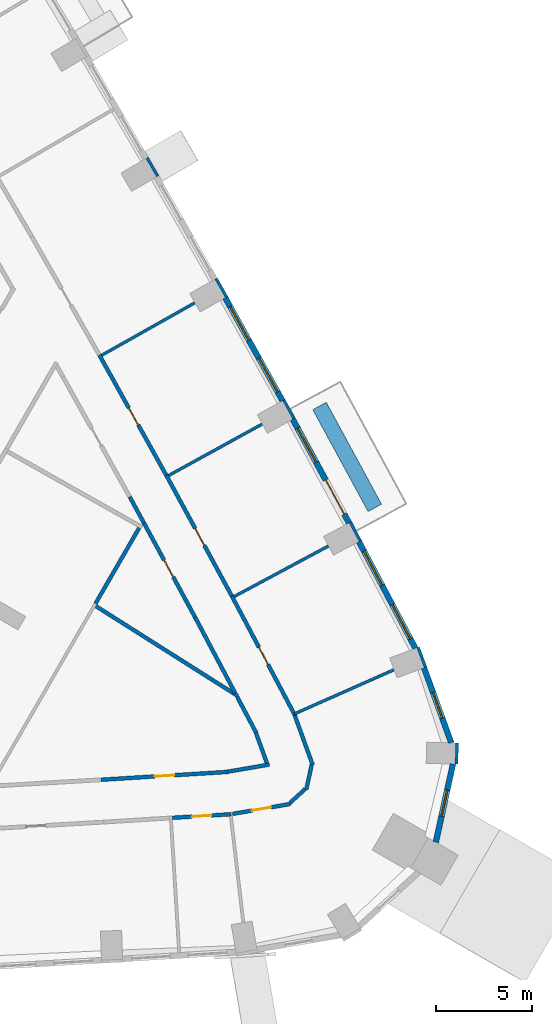
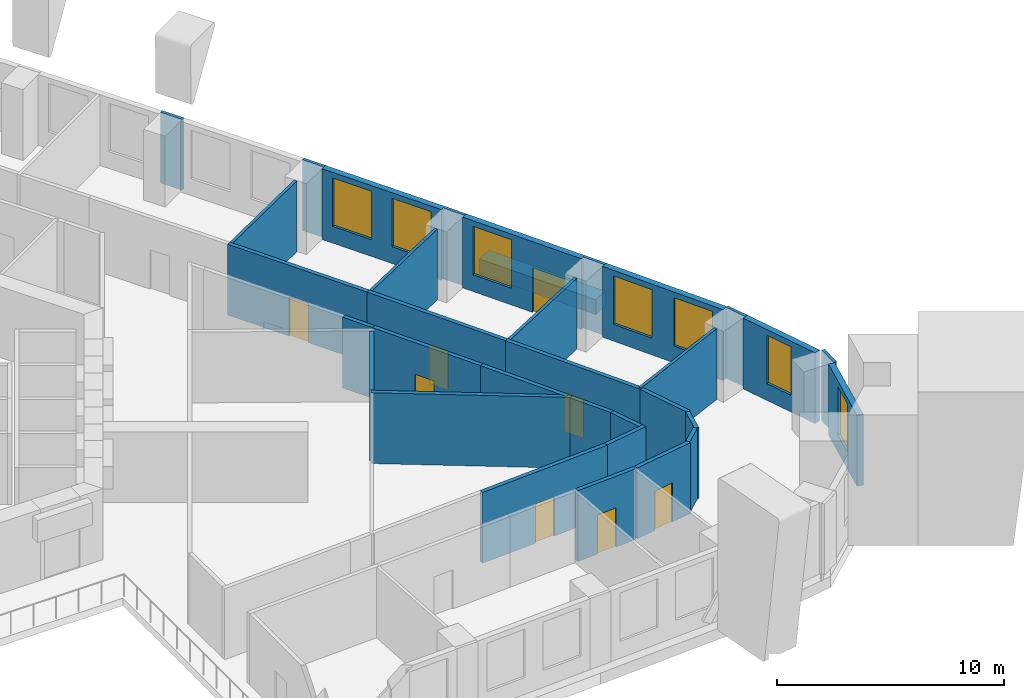
# One storey, part 11 of 15: 33 walls, 8 doors, 7 windows, 15 openings.
"""IFC4 building model written with IfcOpenShell, lengths in metres."""

from ifc_helpers import new_model, si_unit, direction, frame, frame_2d, origin, place, context, subcontext, project, spatial, rectangle, extrude, material, layer, layer_set, type_object, element, fill, save


model = new_model("IFC4")

# Units and contexts
model_context = context("Model", 3, precision=1e-05, world=origin(), true_north=direction((0.0, 1.0)))
body_context = subcontext(model_context, "Body", "Model", "MODEL_VIEW")
ifc_project = project(units=[si_unit("LENGTHUNIT", "METRE"), si_unit("AREAUNIT", "SQUARE_METRE"), si_unit("VOLUMEUNIT", "CUBIC_METRE"), si_unit("PLANEANGLEUNIT", "RADIAN"), si_unit("MASSUNIT", "GRAM", prefix="KILO")], contexts=[model_context])

# Site, building, storey
site_placement = place(None, origin())
site = spatial("IfcSite", under=ifc_project, at=site_placement, CompositionType="ELEMENT")
building_placement = place(site_placement, origin())
building = spatial("IfcBuilding", under=site, at=building_placement, Name="Entoto Arch Interchange Tower", CompositionType="ELEMENT")
storey_placement = place(building_placement, frame((0.0, 0.0, 124.39990234375)))
storey = spatial("IfcBuildingStorey", under=building, at=storey_placement, Name="L27", CompositionType="ELEMENT", Elevation=124.39990234375)

# Walls
ifc_material_1 = material(Name="Gypsum board partition on steel studs", Category="steel")
ifc_layer_1 = layer(ifc_material_1, 0.14990234375)
ifc_layer_set_1 = layer_set([ifc_layer_1], Name="Gypsum board partition on steel studs")
wall_type_1 = type_object("IfcWallType", Name="PARTITION 150", PredefinedType="PARTITIONING", material=ifc_layer_set_1)
wall_1_placement = place(storey_placement, frame((31.23291015625, -14.58203125, 0.0), z_axis=(0.0, 0.0, 1.0), x_axis=(0.914317360249, 0.404998474994, 0.0)))
element("IfcWall", 1, at=wall_1_placement, inside=storey, type_object=wall_type_1, Name="wall:L27:p136", PredefinedType="PARTITIONING", context=body_context, shape_type="SweptSolid", body=[
    extrude(rectangle(XDim=5.644775390625, YDim=0.14990234375, at=frame_2d((2.822265625, 0.0))), origin(), (0.0, 0.0, 1.0), 3.800048828125),
])
wall_2_placement = place(storey_placement, frame((28.123046875, -8.488037109375, 0.0), z_axis=(0.0, 0.0, 1.0), x_axis=(0.881406449288, 0.472358625573, 0.0)))
element("IfcWall", 2, at=wall_2_placement, inside=storey, type_object=wall_type_1, Name="wall:L27:p137", PredefinedType="PARTITIONING", context=body_context, shape_type="SweptSolid", body=[
    extrude(rectangle(XDim=5.52978515625, YDim=0.14990234375, at=frame_2d((2.764892578125, 0.0))), origin(), (0.0, 0.0, 1.0), 3.800048828125),
])
wall_3_placement = place(storey_placement, frame((24.718017578125, -2.214111328125, 0.0), z_axis=(0.0, 0.0, 1.0), x_axis=(0.876382720351, 0.481615331432, 0.0)))
element("IfcWall", 3, at=wall_3_placement, inside=storey, type_object=wall_type_1, Name="wall:L27:p138", PredefinedType="PARTITIONING", context=body_context, shape_type="SweptSolid", body=[
    extrude(rectangle(XDim=5.529541015625, YDim=0.14990234375, at=frame_2d((2.7646484375, 0.0))), origin(), (0.0, 0.0, 1.0), 3.800048828125),
])
wall_4_placement = place(storey_placement, frame((21.2470703125, 4.02392578125, 0.0), z_axis=(0.0, 0.0, 1.0), x_axis=(0.871261721438, 0.490818716795, 0.0)))
element("IfcWall", 4, at=wall_4_placement, inside=storey, type_object=wall_type_1, Name="wall:L27:p139", PredefinedType="PARTITIONING", context=body_context, shape_type="SweptSolid", body=[
    extrude(rectangle(XDim=5.52978515625, YDim=0.14990234375, at=frame_2d((2.764892578125, 0.0))), origin(), (0.0, 0.0, 1.0), 3.800048828125),
])
ifc_layer_2 = layer(ifc_material_1, 0.199951171875)
ifc_layer_set_2 = layer_set([ifc_layer_2], Name="Gypsum board partition on steel studs")
wall_type_2 = type_object("IfcWallType", Name="PARTITION 200", PredefinedType="PARTITIONING", material=ifc_layer_set_2)
wall_5_placement = place(storey_placement, frame((23.43701171875, -4.676025390625, 0.0), z_axis=(0.0, 0.0, 1.0), x_axis=(-0.47686467088, 0.878976726465, 0.0)))
element("IfcWall", 5, at=wall_5_placement, inside=storey, type_object=wall_type_2, Name="wall:L27:p022", PredefinedType="PARTITIONING", context=body_context, shape_type="SweptSolid", body=[
    extrude(rectangle(XDim=1.54150390625, YDim=0.199951171875, at=frame_2d((0.770751953125, 0.0))), origin(), (0.0, 0.0, 1.0), 3.800048828125),
])

# Wall, opening, door
wall_6_placement = place(storey_placement, frame((21.218017578125, -17.9951171875, 0.0), z_axis=(0.0, 0.0, 1.0), x_axis=(0.998092528214, 0.061735768594, 0.0)))
wall_6 = element("IfcWall", 6, at=wall_6_placement, inside=storey, type_object=wall_type_2, Name="wall:L27:p026", PredefinedType="PARTITIONING", context=body_context, shape_type="SweptSolid", body=[
    extrude(rectangle(XDim=6.576416015625, YDim=0.199951171875, at=frame_2d((3.2880859375, 0.0))), origin(), (0.0, 0.0, 1.0), 3.800048828125),
])
opening_1_placement = place(wall_6_placement, frame((2.7880859375, 0.0, 0.0)))
opening_1 = element("IfcOpeningElement", 7, at=opening_1_placement, cuts=wall_6, Name="Opening L27-D24", PredefinedType="OPENING", context=body_context, shape_type="SweptSolid", body=[
    extrude(rectangle(XDim=1.0, YDim=2.10009765625, at=frame_2d((0.5, 1.050048828125))), frame((0.0, 0.10986328125, 0.0), z_axis=(0.0, -1.0, 0.0), x_axis=(1.0, 0.0, 0.0)), (0.0, 0.0, 1.0), 0.219970703125),
])
ifc_material_2 = material(Name="Timber door leaf in Steel S235 frame", Category="steel")
door_type_1 = type_object("IfcDoorType", Name="DOOR DS-10 1000x2100", OperationType="SINGLE_SWING_LEFT", PredefinedType="DOOR", material=ifc_material_2)
door_1_placement = place(opening_1_placement, origin())
door_1 = element("IfcDoor", 8, at=door_1_placement, inside=storey, type_object=door_type_1, Name="door:L27:24", OperationType="SINGLE_SWING_LEFT", OverallHeight=2.10009765625, OverallWidth=1.0, PredefinedType="DOOR", context=body_context, shape_type="SweptSolid", body=[
    extrude(rectangle(XDim=1.0, YDim=2.10009765625, at=frame_2d((0.5, 1.050048828125))), frame((0.0, 0.02490234375, 0.0), z_axis=(0.0, -1.0, 0.0), x_axis=(1.0, 0.0, 0.0)), (0.0, 0.0, 1.0), 0.050048828125),
])
fill(opening_1, door_1)

# Walls
wall_7_placement = place(storey_placement, frame((27.780029296875, -17.577880859375, 0.0), z_axis=(0.0, 0.0, 1.0), x_axis=(0.985534991456, 0.169472064409, 0.0)))
element("IfcWall", 9, at=wall_7_placement, inside=storey, type_object=wall_type_2, Name="wall:L27:p027", PredefinedType="PARTITIONING", context=body_context, shape_type="SweptSolid", body=[
    extrude(rectangle(XDim=2.19970703125, YDim=0.199951171875, at=frame_2d((1.099853515625, 0.0))), origin(), (0.0, 0.0, 1.0), 3.800048828125),
])
wall_8_placement = place(storey_placement, frame((29.81591796875, -17.1279296875, 0.0), z_axis=(0.0, 0.0, 1.0), x_axis=(-0.340726116699, 0.940162599447, 0.0)))
element("IfcWall", 10, at=wall_8_placement, inside=storey, type_object=wall_type_2, Name="wall:L27:p028", PredefinedType="PARTITIONING", context=body_context, shape_type="SweptSolid", body=[
    extrude(rectangle(XDim=1.657958984375, YDim=0.199951171875, at=frame_2d((0.8291015625, 0.0))), origin(), (0.0, 0.0, 1.0), 3.800048828125),
])
wall_9_placement = place(storey_placement, frame((29.263916015625, -15.56396484375, 0.0), z_axis=(0.0, 0.0, 1.0), x_axis=(-0.46760771465, 0.883936097917, 0.0)))
element("IfcWall", 11, at=wall_9_placement, inside=storey, type_object=wall_type_2, Name="wall:L27:p029", PredefinedType="PARTITIONING", context=body_context, shape_type="SweptSolid", body=[
    extrude(rectangle(XDim=2.123291015625, YDim=0.199951171875, at=frame_2d((1.0615234375, 0.0))), origin(), (0.0, 0.0, 1.0), 3.800048828125),
])
wall_10_placement = place(storey_placement, frame((28.177001953125, -13.510009765625, 0.0), z_axis=(0.0, 0.0, 1.0), x_axis=(-0.467580354248, 0.883950571198, 0.0)))
element("IfcWall", 12, at=wall_10_placement, inside=storey, type_object=wall_type_2, Name="wall:L27:p030", PredefinedType="PARTITIONING", context=body_context, shape_type="SweptSolid", body=[
    extrude(rectangle(XDim=4.452880859375, YDim=0.199951171875, at=frame_2d((2.2265625, 0.0))), origin(), (0.0, 0.0, 1.0), 3.800048828125),
])

# Wall, opening, door
wall_11_placement = place(storey_placement, frame((26.094970703125, -9.573974609375, 0.0), z_axis=(0.0, 0.0, 1.0), x_axis=(-0.476963271937, 0.878923226012, 0.0)))
wall_11 = element("IfcWall", 13, at=wall_11_placement, inside=storey, type_object=wall_type_2, Name="wall:L27:p031", PredefinedType="PARTITIONING", context=body_context, shape_type="SweptSolid", body=[
    extrude(rectangle(XDim=5.57275390625, YDim=0.199951171875, at=frame_2d((2.786376953125, 0.0))), origin(), (0.0, 0.0, 1.0), 3.800048828125),
])
opening_2_placement = place(wall_11_placement, frame((2.385986328125, 0.0, 0.0)))
opening_2 = element("IfcOpeningElement", 14, at=opening_2_placement, cuts=wall_11, Name="Opening L27-D25", PredefinedType="OPENING", context=body_context, shape_type="SweptSolid", body=[
    extrude(rectangle(XDim=1.0, YDim=2.10009765625, at=frame_2d((0.5, 1.050048828125))), frame((0.0, 0.10986328125, 0.0), z_axis=(0.0, -1.0, 0.0), x_axis=(1.0, 0.0, 0.0)), (0.0, 0.0, 1.0), 0.219970703125),
])
door_2_placement = place(opening_2_placement, origin())
door_2 = element("IfcDoor", 15, at=door_2_placement, inside=storey, type_object=door_type_1, Name="door:L27:25", OperationType="SINGLE_SWING_LEFT", OverallHeight=2.10009765625, OverallWidth=1.0, PredefinedType="DOOR", context=body_context, shape_type="SweptSolid", body=[
    extrude(rectangle(XDim=1.0, YDim=2.10009765625, at=frame_2d((0.5, 1.050048828125))), frame((0.0, 0.02490234375, 0.0), z_axis=(0.0, -1.0, 0.0), x_axis=(1.0, 0.0, 0.0)), (0.0, 0.0, 1.0), 0.050048828125),
])
fill(opening_2, door_2)

wall_12_placement = place(storey_placement, frame((27.9619140625, -19.781982421875, 0.0), z_axis=(0.0, 0.0, 1.0), x_axis=(-0.998088756763, -0.061796712082, 0.0)))
wall_12 = element("IfcWall", 16, at=wall_12_placement, inside=storey, type_object=wall_type_2, Name="wall:L27:p046", PredefinedType="PARTITIONING", context=body_context, shape_type="SweptSolid", body=[
    extrude(rectangle(XDim=3.057861328125, YDim=0.199951171875, at=frame_2d((1.52880859375, 0.0))), origin(), (0.0, 0.0, 1.0), 3.800048828125),
])
opening_3_placement = place(wall_12_placement, frame((1.029052734375, 0.0, 0.0)))
opening_3 = element("IfcOpeningElement", 17, at=opening_3_placement, cuts=wall_12, Name="Opening L27-D03", PredefinedType="OPENING", context=body_context, shape_type="SweptSolid", body=[
    extrude(rectangle(XDim=1.0, YDim=2.10009765625, at=frame_2d((0.5, 1.050048828125))), frame((0.0, 0.10986328125, 0.0), z_axis=(0.0, -1.0, 0.0), x_axis=(1.0, 0.0, 0.0)), (0.0, 0.0, 1.0), 0.219970703125),
])
door_3_placement = place(opening_3_placement, origin())
door_3 = element("IfcDoor", 18, at=door_3_placement, inside=storey, type_object=door_type_1, Name="door:L27:03", OperationType="SINGLE_SWING_RIGHT", OverallHeight=2.10009765625, OverallWidth=1.0, PredefinedType="DOOR", context=body_context, shape_type="SweptSolid", body=[
    extrude(rectangle(XDim=1.0, YDim=2.10009765625, at=frame_2d((0.5, 1.050048828125))), frame((0.0, 0.02490234375, 0.0), z_axis=(0.0, -1.0, 0.0), x_axis=(1.0, 0.0, 0.0)), (0.0, 0.0, 1.0), 0.050048828125),
])
fill(opening_3, door_3)

# Walls
wall_13_placement = place(storey_placement, frame((31.26806640625, -14.676025390625, 0.0), z_axis=(0.0, 0.0, 1.0), x_axis=(0.340269739222, -0.940327870782, 0.0)))
element("IfcWall", 19, at=wall_13_placement, inside=storey, type_object=wall_type_2, Name="wall:L27:p047", PredefinedType="PARTITIONING", context=body_context, shape_type="SweptSolid", body=[
    extrude(rectangle(XDim=2.715087890625, YDim=0.199951171875, at=frame_2d((1.357421875, 0.0))), origin(), (0.0, 0.0, 1.0), 3.800048828125),
])
wall_14_placement = place(storey_placement, frame((32.136962890625, -17.23193359375, 0.0), z_axis=(0.0, 0.0, 1.0), x_axis=(-0.214289506547, -0.976770191695, 0.0)))
element("IfcWall", 20, at=wall_14_placement, inside=storey, type_object=wall_type_2, Name="wall:L27:p048", PredefinedType="PARTITIONING", context=body_context, shape_type="SweptSolid", body=[
    extrude(rectangle(XDim=1.30224609375, YDim=0.199951171875, at=frame_2d((0.651123046875, 0.0))), origin(), (0.0, 0.0, 1.0), 3.800048828125),
])
wall_15_placement = place(storey_placement, frame((31.805908203125, -18.472900390625, 0.0), z_axis=(0.0, 0.0, 1.0), x_axis=(-0.739141286173, -0.673550413165, 0.0)))
element("IfcWall", 21, at=wall_15_placement, inside=storey, type_object=wall_type_2, Name="wall:L27:p049", PredefinedType="PARTITIONING", context=body_context, shape_type="SweptSolid", body=[
    extrude(rectangle(XDim=1.079345703125, YDim=0.199951171875, at=frame_2d((0.53955078125, 0.0))), origin(), (0.0, 0.0, 1.0), 3.800048828125),
])

# Wall, opening, door
wall_16_placement = place(storey_placement, frame((31.032958984375, -19.2509765625, 0.0), z_axis=(0.0, 0.0, 1.0), x_axis=(-0.985494394638, -0.169707979005, 0.0)))
wall_16 = element("IfcWall", 22, at=wall_16_placement, inside=storey, type_object=wall_type_2, Name="wall:L27:p050", PredefinedType="PARTITIONING", context=body_context, shape_type="SweptSolid", body=[
    extrude(rectangle(XDim=3.041259765625, YDim=0.199951171875, at=frame_2d((1.5205078125, 0.0))), origin(), (0.0, 0.0, 1.0), 3.800048828125),
])
opening_4_placement = place(wall_16_placement, frame((1.02099609375, 0.0, 0.0)))
opening_4 = element("IfcOpeningElement", 23, at=opening_4_placement, cuts=wall_16, Name="Opening L27-D04", PredefinedType="OPENING", context=body_context, shape_type="SweptSolid", body=[
    extrude(rectangle(XDim=1.0, YDim=2.10009765625, at=frame_2d((0.5, 1.050048828125))), frame((0.0, 0.10986328125, 0.0), z_axis=(0.0, -1.0, 0.0), x_axis=(1.0, 0.0, 0.0)), (0.0, 0.0, 1.0), 0.219970703125),
])
door_4_placement = place(opening_4_placement, origin())
door_4 = element("IfcDoor", 24, at=door_4_placement, inside=storey, type_object=door_type_1, Name="door:L27:04", OperationType="SINGLE_SWING_LEFT", OverallHeight=2.10009765625, OverallWidth=1.0, PredefinedType="DOOR", context=body_context, shape_type="SweptSolid", body=[
    extrude(rectangle(XDim=1.0, YDim=2.10009765625, at=frame_2d((0.5, 1.050048828125))), frame((0.0, 0.02490234375, 0.0), z_axis=(0.0, -1.0, 0.0), x_axis=(1.0, 0.0, 0.0)), (0.0, 0.0, 1.0), 0.050048828125),
])
fill(opening_4, door_4)

wall_17_placement = place(storey_placement, frame((27.9990234375, -8.468994140625, 0.0), z_axis=(0.0, 0.0, 1.0), x_axis=(0.467683043694, -0.883896244274, 0.0)))
wall_17 = element("IfcWall", 25, at=wall_17_placement, inside=storey, type_object=wall_type_2, Name="wall:L27:p051", PredefinedType="PARTITIONING", context=body_context, shape_type="SweptSolid", body=[
    extrude(rectangle(XDim=7.015380859375, YDim=0.199951171875, at=frame_2d((3.5078125, 0.0))), origin(), (0.0, 0.0, 1.0), 3.800048828125),
])
opening_5_placement = place(wall_17_placement, frame((3.008056640625, 0.0, 0.0)))
opening_5 = element("IfcOpeningElement", 26, at=opening_5_placement, cuts=wall_17, Name="Opening L27-D05", PredefinedType="OPENING", context=body_context, shape_type="SweptSolid", body=[
    extrude(rectangle(XDim=1.0, YDim=2.10009765625, at=frame_2d((0.5, 1.050048828125))), frame((0.0, 0.10986328125, 0.0), z_axis=(0.0, -1.0, 0.0), x_axis=(1.0, 0.0, 0.0)), (0.0, 0.0, 1.0), 0.219970703125),
])
door_5_placement = place(opening_5_placement, origin())
door_5 = element("IfcDoor", 27, at=door_5_placement, inside=storey, type_object=door_type_1, Name="door:L27:05", OperationType="SINGLE_SWING_LEFT", OverallHeight=2.10009765625, OverallWidth=1.0, PredefinedType="DOOR", context=body_context, shape_type="SweptSolid", body=[
    extrude(rectangle(XDim=1.0, YDim=2.10009765625, at=frame_2d((0.5, 1.050048828125))), frame((0.0, 0.02490234375, 0.0), z_axis=(0.0, -1.0, 0.0), x_axis=(1.0, 0.0, 0.0)), (0.0, 0.0, 1.0), 0.050048828125),
])
fill(opening_5, door_5)

wall_18_placement = place(storey_placement, frame((24.594970703125, -2.196044921875, 0.0), z_axis=(0.0, 0.0, 1.0), x_axis=(0.47695522124, -0.878927594818, 0.0)))
wall_18 = element("IfcWall", 28, at=wall_18_placement, inside=storey, type_object=wall_type_2, Name="wall:L27:p052", PredefinedType="PARTITIONING", context=body_context, shape_type="SweptSolid", body=[
    extrude(rectangle(XDim=7.136962890625, YDim=0.199951171875, at=frame_2d((3.568359375, 0.0))), origin(), (0.0, 0.0, 1.0), 3.800048828125),
])
opening_6_placement = place(wall_18_placement, frame((3.14404296875, 0.0, 0.0)))
opening_6 = element("IfcOpeningElement", 29, at=opening_6_placement, cuts=wall_18, Name="Opening L27-D06", PredefinedType="OPENING", context=body_context, shape_type="SweptSolid", body=[
    extrude(rectangle(XDim=1.0, YDim=2.10009765625, at=frame_2d((0.5, 1.050048828125))), frame((0.0, 0.10986328125, 0.0), z_axis=(0.0, -1.0, 0.0), x_axis=(1.0, 0.0, 0.0)), (0.0, 0.0, 1.0), 0.219970703125),
])
door_6_placement = place(opening_6_placement, origin())
door_6 = element("IfcDoor", 30, at=door_6_placement, inside=storey, type_object=door_type_1, Name="door:L27:06", OperationType="SINGLE_SWING_LEFT", OverallHeight=2.10009765625, OverallWidth=1.0, PredefinedType="DOOR", context=body_context, shape_type="SweptSolid", body=[
    extrude(rectangle(XDim=1.0, YDim=2.10009765625, at=frame_2d((0.5, 1.050048828125))), frame((0.0, 0.02490234375, 0.0), z_axis=(0.0, -1.0, 0.0), x_axis=(1.0, 0.0, 0.0)), (0.0, 0.0, 1.0), 0.050048828125),
])
fill(opening_6, door_6)

wall_19_placement = place(storey_placement, frame((21.1240234375, 4.0400390625, 0.0), z_axis=(0.0, 0.0, 1.0), x_axis=(0.486229558972, -0.873831114107, 0.0)))
wall_19 = element("IfcWall", 31, at=wall_19_placement, inside=storey, type_object=wall_type_2, Name="wall:L27:p053", PredefinedType="PARTITIONING", context=body_context, shape_type="SweptSolid", body=[
    extrude(rectangle(XDim=7.136474609375, YDim=0.199951171875, at=frame_2d((3.568359375, 0.0))), origin(), (0.0, 0.0, 1.0), 3.800048828125),
])
opening_7_placement = place(wall_19_placement, frame((3.14306640625, 0.0, 0.0)))
opening_7 = element("IfcOpeningElement", 32, at=opening_7_placement, cuts=wall_19, Name="Opening L27-D07", PredefinedType="OPENING", context=body_context, shape_type="SweptSolid", body=[
    extrude(rectangle(XDim=1.0, YDim=2.10009765625, at=frame_2d((0.5, 1.050048828125))), frame((0.0, 0.10986328125, 0.0), z_axis=(0.0, -1.0, 0.0), x_axis=(1.0, 0.0, 0.0)), (0.0, 0.0, 1.0), 0.219970703125),
])
door_7_placement = place(opening_7_placement, origin())
door_7 = element("IfcDoor", 33, at=door_7_placement, inside=storey, type_object=door_type_1, Name="door:L27:07", OperationType="SINGLE_SWING_RIGHT", OverallHeight=2.10009765625, OverallWidth=1.0, PredefinedType="DOOR", context=body_context, shape_type="SweptSolid", body=[
    extrude(rectangle(XDim=1.0, YDim=2.10009765625, at=frame_2d((0.5, 1.050048828125))), frame((0.0, 0.02490234375, 0.0), z_axis=(0.0, -1.0, 0.0), x_axis=(1.0, 0.0, 0.0)), (0.0, 0.0, 1.0), 0.050048828125),
])
fill(opening_7, door_7)

# Walls
wall_20_placement = place(storey_placement, frame((23.19091796875, -4.931884765625, 0.0), z_axis=(0.0, 0.0, 1.0), x_axis=(-0.500025458316, -0.86601070492, 0.0)))
element("IfcWall", 34, at=wall_20_placement, inside=storey, type_object=wall_type_2, Name="wall:L27:p131", PredefinedType="PARTITIONING", context=body_context, shape_type="SweptSolid", body=[
    extrude(rectangle(XDim=4.533447265625, YDim=0.199951171875, at=frame_2d((2.2666015625, 0.0))), origin(), (0.0, 0.0, 1.0), 3.800048828125),
])
wall_21_placement = place(storey_placement, frame((20.85302734375, -8.930908203125, 0.0), z_axis=(0.0, 0.0, 1.0), x_axis=(0.844869091455, -0.534973100542, 0.0)))
element("IfcWall", 35, at=wall_21_placement, inside=storey, type_object=wall_type_2, Name="wall:L27:p132", PredefinedType="PARTITIONING", context=body_context, shape_type="SweptSolid", body=[
    extrude(rectangle(XDim=8.8251953125, YDim=0.199951171875, at=frame_2d((4.41259765625, 0.0))), origin(), (0.0, 0.0, 1.0), 3.800048828125),
])
ifc_material_3 = material(Name="Board-marked precast concrete C50/60", Category="concrete")
ifc_layer_3 = layer(ifc_material_3, 0.800048828125)
ifc_layer_set_3 = layer_set([ifc_layer_3], Name="Board-marked precast concrete C50/60")
wall_type_3 = type_object("IfcWallType", Name="PLANTER RC 800 Afrocarpus falcatus", PredefinedType="STANDARD", material=ifc_layer_set_3)
wall_22_placement = place(storey_placement, frame((35.4130859375, -3.89208984375, 0.0), z_axis=(0.0, 0.0, 1.0), x_axis=(-0.476905516251, 0.878954565702, 0.0)))
element("IfcWall", 36, at=wall_22_placement, inside=storey, type_object=wall_type_3, Name="Planter NE-02 L27", PredefinedType="STANDARD", context=body_context, shape_type="SweptSolid", body=[
    extrude(rectangle(XDim=6.01416015625, YDim=0.800048828125, at=frame_2d((3.007080078125, 0.0))), origin(), (0.0, 0.0, 1.0), 0.800048828125),
])

# Wall, opening, window
ifc_material_4 = material(Name="Welded tuff (ignimbrite) cladding, warm buff", Category="masonry")
ifc_layer_4 = layer(ifc_material_4, 0.300048828125)
ifc_layer_set_4 = layer_set([ifc_layer_4], Name="Welded tuff (ignimbrite) cladding, warm buff")
wall_type_4 = type_object("IfcWallType", Name="STONE INFILL WALL 300", PredefinedType="STANDARD", material=ifc_layer_set_4)
wall_23_placement = place(storey_placement, frame((38.5791015625, -21.236083984375, 0.0), z_axis=(0.0, 0.0, 1.0), x_axis=(0.2139737857, 0.976839402887, 0.0)))
wall_23 = element("IfcWall", 37, at=wall_23_placement, inside=storey, type_object=wall_type_4, Name="Facade wall SE-03 L27", PredefinedType="STANDARD", context=body_context, shape_type="SweptSolid", body=[
    extrude(rectangle(XDim=4.154296875, YDim=0.300048828125, at=frame_2d((2.0771484375, 0.0))), origin(), (0.0, 0.0, 1.0), 3.800048828125),
])
opening_8_placement = place(wall_23_placement, frame((1.376953125, 0.0, 0.89990234375)))
opening_8 = element("IfcOpeningElement", 38, at=opening_8_placement, cuts=wall_23, Name="Opening WO-B", PredefinedType="OPENING", context=body_context, shape_type="SweptSolid", body=[
    extrude(rectangle(XDim=1.39990234375, YDim=2.60009765625, at=frame_2d((0.699951171875, 1.300048828125))), frame((0.0, 0.16015625, 0.0), z_axis=(0.0, -1.0, 0.0), x_axis=(1.0, 0.0, 0.0)), (0.0, 0.0, 1.0), 0.320068359375),
])
ifc_material_5 = material(Name="Clear glass, low-e double glazed", Category="glass")
window_type_1 = type_object("IfcWindowType", Name="WINDOW WO-B 1400x2600", PartitioningType="DOUBLE_PANEL_VERTICAL", PredefinedType="WINDOW", material=ifc_material_5)
window_1_placement = place(opening_8_placement, origin())
window_1 = element("IfcWindow", 39, at=window_1_placement, inside=storey, type_object=window_type_1, Name="Window WO-B SE-03 L27", OverallHeight=2.60009765625, OverallWidth=1.39990234375, PartitioningType="SINGLE_PANEL", PredefinedType="WINDOW", context=body_context, shape_type="SweptSolid", body=[
    extrude(rectangle(XDim=1.39990234375, YDim=2.60009765625, at=frame_2d((0.699951171875, 1.300048828125))), frame((0.0, 0.030029296875, 0.0), z_axis=(0.0, -1.0, 0.0), x_axis=(1.0, 0.0, 0.0)), (0.0, 0.0, 1.0), 0.06005859375),
])
fill(opening_8, window_1)

wall_24_placement = place(storey_placement, frame((39.37890625, -16.076904296875, 0.0), z_axis=(0.0, 0.0, 1.0), x_axis=(-0.340477955209, 0.940252499075, 0.0)))
wall_24 = element("IfcWall", 40, at=wall_24_placement, inside=storey, type_object=wall_type_4, Name="Facade wall SE-04 L27", PredefinedType="STANDARD", context=body_context, shape_type="SweptSolid", body=[
    extrude(rectangle(XDim=4.13818359375, YDim=0.300048828125, at=frame_2d((2.069091796875, 0.0))), origin(), (0.0, 0.0, 1.0), 3.800048828125),
])
opening_9_placement = place(wall_24_placement, frame((1.368896484375, 0.0, 0.89990234375)))
opening_9 = element("IfcOpeningElement", 41, at=opening_9_placement, cuts=wall_24, Name="Opening WO-B", PredefinedType="OPENING", context=body_context, shape_type="SweptSolid", body=[
    extrude(rectangle(XDim=1.39990234375, YDim=2.60009765625, at=frame_2d((0.699951171875, 1.300048828125))), frame((0.0, 0.16015625, 0.0), z_axis=(0.0, -1.0, 0.0), x_axis=(1.0, 0.0, 0.0)), (0.0, 0.0, 1.0), 0.320068359375),
])
window_2_placement = place(opening_9_placement, origin())
window_2 = element("IfcWindow", 42, at=window_2_placement, inside=storey, type_object=window_type_1, Name="Window WO-B SE-04 L27", OverallHeight=2.60009765625, OverallWidth=1.39990234375, PartitioningType="SINGLE_PANEL", PredefinedType="WINDOW", context=body_context, shape_type="SweptSolid", body=[
    extrude(rectangle(XDim=1.39990234375, YDim=2.60009765625, at=frame_2d((0.699951171875, 1.300048828125))), frame((0.0, 0.030029296875, 0.0), z_axis=(0.0, -1.0, 0.0), x_axis=(1.0, 0.0, 0.0)), (0.0, 0.0, 1.0), 0.06005859375),
])
fill(opening_9, window_2)

# Wall, openings, windows
wall_25_placement = place(storey_placement, frame((37.52294921875, -11.180908203125, 0.0), z_axis=(0.0, 0.0, 1.0), x_axis=(-0.467654949391, 0.883911108828, 0.0)))
wall_25 = element("IfcWall", 43, at=wall_25_placement, inside=storey, type_object=wall_type_4, Name="Facade wall NE-01 L27", PredefinedType="STANDARD", context=body_context, shape_type="SweptSolid", body=[
    extrude(rectangle(XDim=6.26513671875, YDim=0.300048828125, at=frame_2d((3.132568359375, 0.0))), origin(), (0.0, 0.0, 1.0), 3.800048828125),
])
opening_10_placement = place(wall_25_placement, frame((0.56591796875, 0.0, 0.89990234375)))
opening_10 = element("IfcOpeningElement", 44, at=opening_10_placement, cuts=wall_25, Name="Opening WO-C", PredefinedType="OPENING", context=body_context, shape_type="SweptSolid", body=[
    extrude(rectangle(XDim=2.0, YDim=2.60009765625, at=frame_2d((1.0, 1.300048828125))), frame((0.0, 0.16015625, 0.0), z_axis=(0.0, -1.0, 0.0), x_axis=(1.0, 0.0, 0.0)), (0.0, 0.0, 1.0), 0.320068359375),
])
opening_11_placement = place(wall_25_placement, frame((3.698974609375, 0.0, 0.89990234375)))
opening_11 = element("IfcOpeningElement", 45, at=opening_11_placement, cuts=wall_25, Name="Opening WO-C", PredefinedType="OPENING", context=body_context, shape_type="SweptSolid", body=[
    extrude(rectangle(XDim=2.0, YDim=2.60009765625, at=frame_2d((1.0, 1.300048828125))), frame((0.0, 0.16015625, 0.0), z_axis=(0.0, -1.0, 0.0), x_axis=(1.0, 0.0, 0.0)), (0.0, 0.0, 1.0), 0.320068359375),
])
window_type_2 = type_object("IfcWindowType", Name="WINDOW WO-C 2000x2600", PartitioningType="DOUBLE_PANEL_VERTICAL", PredefinedType="WINDOW", material=ifc_material_5)
window_3_placement = place(opening_10_placement, origin())
window_3 = element("IfcWindow", 46, at=window_3_placement, inside=storey, type_object=window_type_2, Name="Window WO-C NE-01 L27", OverallHeight=2.60009765625, OverallWidth=2.0, PartitioningType="SINGLE_PANEL", PredefinedType="WINDOW", context=body_context, shape_type="SweptSolid", body=[
    extrude(rectangle(XDim=2.0, YDim=2.60009765625, at=frame_2d((1.0, 1.300048828125))), frame((0.0, 0.030029296875, 0.0), z_axis=(0.0, -1.0, 0.0), x_axis=(1.0, 0.0, 0.0)), (0.0, 0.0, 1.0), 0.06005859375),
])
fill(opening_10, window_3)
window_4_placement = place(opening_11_placement, origin())
window_4 = element("IfcWindow", 47, at=window_4_placement, inside=storey, type_object=window_type_2, Name="Window WO-C NE-01 L27", OverallHeight=2.60009765625, OverallWidth=2.0, PartitioningType="SINGLE_PANEL", PredefinedType="WINDOW", context=body_context, shape_type="SweptSolid", body=[
    extrude(rectangle(XDim=2.0, YDim=2.60009765625, at=frame_2d((1.0, 1.300048828125))), frame((0.0, 0.030029296875, 0.0), z_axis=(0.0, -1.0, 0.0), x_axis=(1.0, 0.0, 0.0)), (0.0, 0.0, 1.0), 0.06005859375),
])
fill(opening_11, window_4)

# Wall, openings, door, window
wall_26_placement = place(storey_placement, frame((34.074951171875, -4.675048828125, 0.0), z_axis=(0.0, 0.0, 1.0), x_axis=(-0.476982616152, 0.878912728255, 0.0)))
wall_26 = element("IfcWall", 48, at=wall_26_placement, inside=storey, type_object=wall_type_4, Name="Facade wall NE-02 L27", PredefinedType="STANDARD", context=body_context, shape_type="SweptSolid", body=[
    extrude(rectangle(XDim=6.115478515625, YDim=0.300048828125, at=frame_2d((3.0576171875, 0.0))), origin(), (0.0, 0.0, 1.0), 3.800048828125),
])
opening_12_placement = place(wall_26_placement, frame((0.529052734375, 0.0, 0.0)))
opening_12 = element("IfcOpeningElement", 49, at=opening_12_placement, cuts=wall_26, Name="Opening DB-NE-02-L27", PredefinedType="OPENING", context=body_context, shape_type="SweptSolid", body=[
    extrude(rectangle(XDim=2.0, YDim=2.39990234375, at=frame_2d((1.0, 1.199951171875))), frame((0.0, 0.16015625, 0.0), z_axis=(0.0, -1.0, 0.0), x_axis=(1.0, 0.0, 0.0)), (0.0, 0.0, 1.0), 0.320068359375),
])
opening_13_placement = place(wall_26_placement, frame((3.5869140625, 0.0, 0.89990234375)))
opening_13 = element("IfcOpeningElement", 50, at=opening_13_placement, cuts=wall_26, Name="Opening WO-C", PredefinedType="OPENING", context=body_context, shape_type="SweptSolid", body=[
    extrude(rectangle(XDim=2.0, YDim=2.60009765625, at=frame_2d((1.0, 1.300048828125))), frame((0.0, 0.16015625, 0.0), z_axis=(0.0, -1.0, 0.0), x_axis=(1.0, 0.0, 0.0)), (0.0, 0.0, 1.0), 0.320068359375),
])
ifc_material_6 = material(Name="Aluminium and clear glass, anodised", Category="aluminium")
door_type_2 = type_object("IfcDoorType", Name="BALCONY DOOR DB 2000x2400", OperationType="SLIDING_TO_LEFT", PredefinedType="DOOR", material=ifc_material_6)
door_8_placement = place(opening_12_placement, origin())
door_8 = element("IfcDoor", 51, at=door_8_placement, inside=storey, type_object=door_type_2, Name="Balcony door NE-02 L27", OperationType="SLIDING_TO_LEFT", OverallHeight=2.39990234375, OverallWidth=2.0, PredefinedType="DOOR", context=body_context, shape_type="SweptSolid", body=[
    extrude(rectangle(XDim=2.0, YDim=2.39990234375, at=frame_2d((1.0, 1.199951171875))), frame((0.0, 0.02490234375, 0.0), z_axis=(0.0, -1.0, 0.0), x_axis=(1.0, 0.0, 0.0)), (0.0, 0.0, 1.0), 0.050048828125),
])
fill(opening_12, door_8)
window_5_placement = place(opening_13_placement, origin())
window_5 = element("IfcWindow", 52, at=window_5_placement, inside=storey, type_object=window_type_2, Name="Window WO-C NE-02 L27", OverallHeight=2.60009765625, OverallWidth=2.0, PartitioningType="SINGLE_PANEL", PredefinedType="WINDOW", context=body_context, shape_type="SweptSolid", body=[
    extrude(rectangle(XDim=2.0, YDim=2.60009765625, at=frame_2d((1.0, 1.300048828125))), frame((0.0, 0.030029296875, 0.0), z_axis=(0.0, -1.0, 0.0), x_axis=(1.0, 0.0, 0.0)), (0.0, 0.0, 1.0), 0.06005859375),
])
fill(opening_13, window_5)

# Wall, openings, windows
wall_27_placement = place(storey_placement, frame((30.62890625, 1.662109375, 0.0), z_axis=(0.0, 0.0, 1.0), x_axis=(-0.486229342917, 0.873831234327, 0.0)))
wall_27 = element("IfcWall", 53, at=wall_27_placement, inside=storey, type_object=wall_type_4, Name="Facade wall NE-03 L27", PredefinedType="STANDARD", context=body_context, shape_type="SweptSolid", body=[
    extrude(rectangle(XDim=6.1142578125, YDim=0.300048828125, at=frame_2d((3.05712890625, 0.0))), origin(), (0.0, 0.0, 1.0), 3.800048828125),
])
opening_14_placement = place(wall_27_placement, frame((0.529052734375, 0.0, 0.89990234375)))
opening_14 = element("IfcOpeningElement", 54, at=opening_14_placement, cuts=wall_27, Name="Opening WO-C", PredefinedType="OPENING", context=body_context, shape_type="SweptSolid", body=[
    extrude(rectangle(XDim=2.0, YDim=2.60009765625, at=frame_2d((1.0, 1.300048828125))), frame((0.0, 0.16015625, 0.0), z_axis=(0.0, -1.0, 0.0), x_axis=(1.0, 0.0, 0.0)), (0.0, 0.0, 1.0), 0.320068359375),
])
opening_15_placement = place(wall_27_placement, frame((3.5859375, 0.0, 0.89990234375)))
opening_15 = element("IfcOpeningElement", 55, at=opening_15_placement, cuts=wall_27, Name="Opening WO-C", PredefinedType="OPENING", context=body_context, shape_type="SweptSolid", body=[
    extrude(rectangle(XDim=2.0, YDim=2.60009765625, at=frame_2d((1.0, 1.300048828125))), frame((0.0, 0.16015625, 0.0), z_axis=(0.0, -1.0, 0.0), x_axis=(1.0, 0.0, 0.0)), (0.0, 0.0, 1.0), 0.320068359375),
])
window_6_placement = place(opening_14_placement, origin())
window_6 = element("IfcWindow", 56, at=window_6_placement, inside=storey, type_object=window_type_2, Name="Window WO-C NE-03 L27", OverallHeight=2.60009765625, OverallWidth=2.0, PartitioningType="SINGLE_PANEL", PredefinedType="WINDOW", context=body_context, shape_type="SweptSolid", body=[
    extrude(rectangle(XDim=2.0, YDim=2.60009765625, at=frame_2d((1.0, 1.300048828125))), frame((0.0, 0.030029296875, 0.0), z_axis=(0.0, -1.0, 0.0), x_axis=(1.0, 0.0, 0.0)), (0.0, 0.0, 1.0), 0.06005859375),
])
fill(opening_14, window_6)
window_7_placement = place(opening_15_placement, origin())
window_7 = element("IfcWindow", 57, at=window_7_placement, inside=storey, type_object=window_type_2, Name="Window WO-C NE-03 L27", OverallHeight=2.60009765625, OverallWidth=2.0, PartitioningType="SINGLE_PANEL", PredefinedType="WINDOW", context=body_context, shape_type="SweptSolid", body=[
    extrude(rectangle(XDim=2.0, YDim=2.60009765625, at=frame_2d((1.0, 1.300048828125))), frame((0.0, 0.030029296875, 0.0), z_axis=(0.0, -1.0, 0.0), x_axis=(1.0, 0.0, 0.0)), (0.0, 0.0, 1.0), 0.06005859375),
])
fill(opening_15, window_7)

# Walls
ifc_layer_5 = layer(ifc_material_4, 0.14990234375)
ifc_layer_set_5 = layer_set([ifc_layer_5], Name="Welded tuff (ignimbrite) cladding, warm buff")
wall_type_5 = type_object("IfcWallType", Name="STONE PIER CLADDING 150", PredefinedType="STANDARD", material=ifc_layer_set_5)
wall_28_placement = place(storey_placement, frame((38.044921875, -12.159912109375, 0.0), z_axis=(0.0, 0.0, 1.0), x_axis=(-0.347010833361, 0.937861120598, 0.0)))
element("IfcWall", 58, at=wall_28_placement, inside=storey, type_object=wall_type_5, Name="Stone pier NE01 L27", PredefinedType="STANDARD", context=body_context, shape_type="SweptSolid", body=[
    extrude(rectangle(XDim=1.100341796875, YDim=0.14990234375, at=frame_2d((0.55029296875, 0.0))), origin(), (0.0, 0.0, 1.0), 3.800048828125),
])
wall_29_placement = place(storey_placement, frame((34.660888671875, -5.60791015625, 0.0), z_axis=(0.0, 0.0, 1.0), x_axis=(-0.46919310775, 0.883095593716, 0.0)))
element("IfcWall", 59, at=wall_29_placement, inside=storey, type_object=wall_type_5, Name="Stone pier NE02 L27", PredefinedType="STANDARD", context=body_context, shape_type="SweptSolid", body=[
    extrude(rectangle(XDim=1.099365234375, YDim=0.14990234375, at=frame_2d((0.5498046875, 0.0))), origin(), (0.0, 0.0, 1.0), 3.800048828125),
])
wall_30_placement = place(storey_placement, frame((31.22607421875, 0.735107421875, 0.0), z_axis=(0.0, 0.0, 1.0), x_axis=(-0.479737645119, 0.877411985247, 0.0)))
element("IfcWall", 60, at=wall_30_placement, inside=storey, type_object=wall_type_5, Name="Stone pier NE03 L27", PredefinedType="STANDARD", context=body_context, shape_type="SweptSolid", body=[
    extrude(rectangle(XDim=1.100830078125, YDim=0.14990234375, at=frame_2d((0.55029296875, 0.0))), origin(), (0.0, 0.0, 1.0), 3.800048828125),
])
wall_31_placement = place(storey_placement, frame((27.72412109375, 7.0419921875, 0.0), z_axis=(0.0, 0.0, 1.0), x_axis=(-0.490008344094, 0.871717742574, 0.0)))
element("IfcWall", 61, at=wall_31_placement, inside=storey, type_object=wall_type_5, Name="Stone pier NE04 L27", PredefinedType="STANDARD", context=body_context, shape_type="SweptSolid", body=[
    extrude(rectangle(XDim=1.10009765625, YDim=0.14990234375, at=frame_2d((0.550048828125, 0.0))), origin(), (0.0, 0.0, 1.0), 3.800048828125),
])
for number, where, z_axis, x_axis, name in (
    (62, (24.155029296875, 13.31103515625, 0.0), (0.0, 0.0, 1.0), (-0.499933745558, 0.866063652425, 0.0), "Stone pier NE05 L27"),
    (63, (39.653076171875, -17.18310546875, 0.0), (0.0, 0.0, 1.0), (0.023517683673, 0.999723421029, 0.0), "Stone pier SE3 L27"),
):
    element("IfcWall", number, at=place(storey_placement, frame(where, z_axis=z_axis, x_axis=x_axis)), inside=storey, type_object=wall_type_5, Name=name, PredefinedType="STANDARD", context=body_context, shape_type="SweptSolid", body=[
        extrude(rectangle(XDim=1.100341796875, YDim=0.14990234375, at=frame_2d((0.55029296875, 0.0))), origin(), (0.0, 0.0, 1.0), 3.800048828125),
    ])

save(model, "model.ifc")
